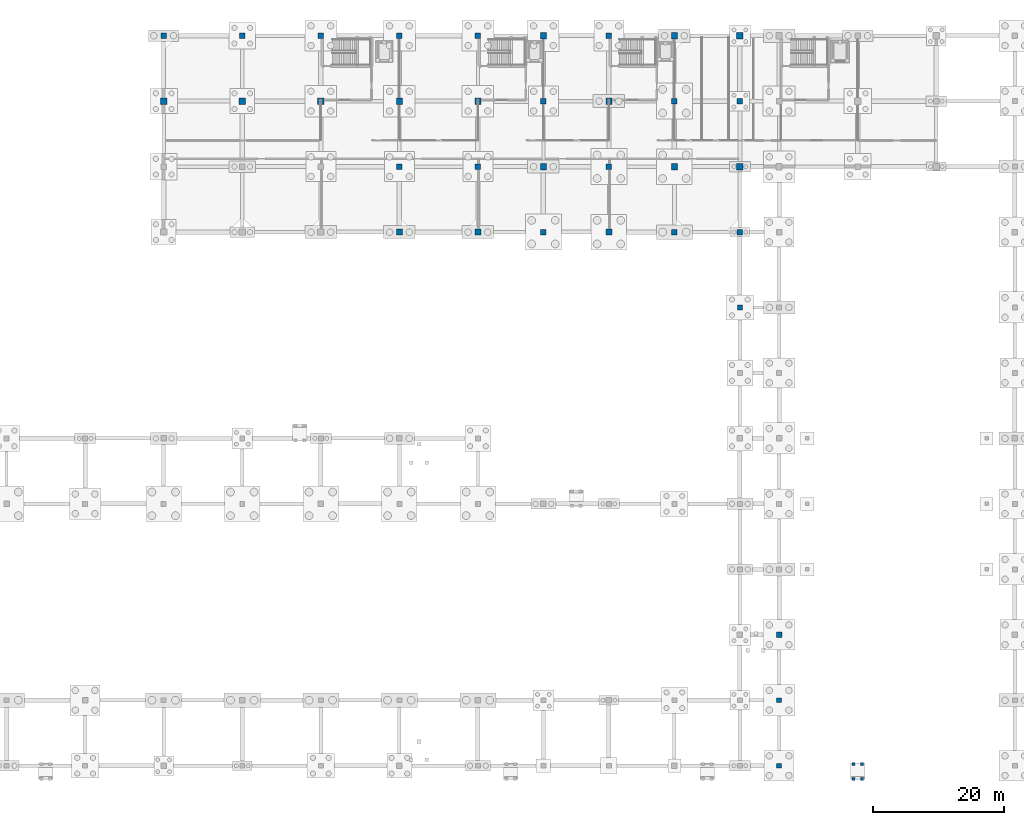
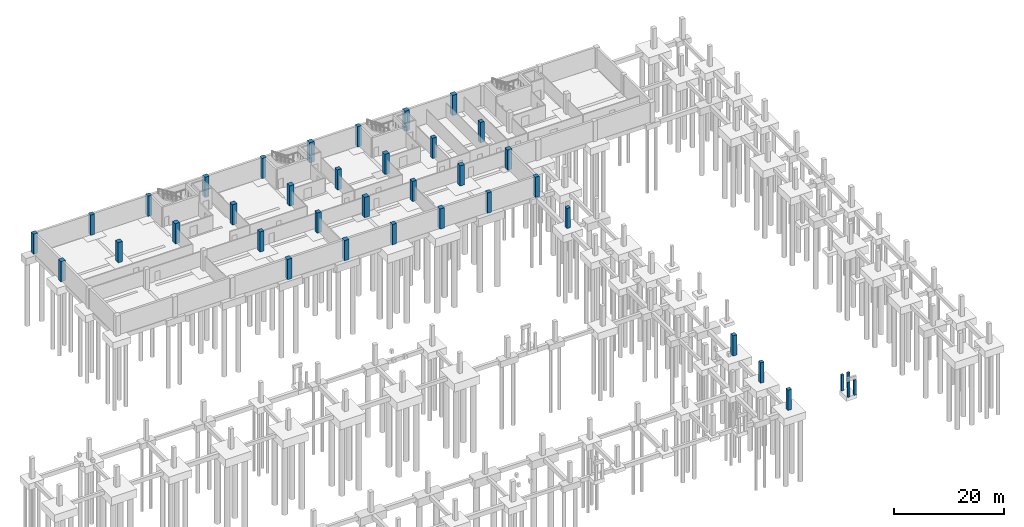
# One storey, part 10 of 19: 38 columns.
"""IFC4 building model written with IfcOpenShell, lengths in metres."""

import ifcopenshell
import ifcopenshell.guid

model = None  # the IFC model being written
_history = None  # IfcOwnerHistory: only IFC2X3 demands one
_inside = {}  # id of a spatial element -> (the spatial element, [elements in it])
_under = {}  # id of a project, library or spatial element -> (it, [spatial elements below it])
_declared = {}  # id of a project -> (the project, [libraries it declares])
_typed = {}  # id of a type object -> (the type object, [elements of that type])
_made_of = {}  # id of a material, layer set ... -> (it, [elements and type objects made of it])


def new_model(schema):
    """Start an empty IFC model of exactly this schema.

    Asked for "IFC4X3", IfcOpenShell would pick the latest addendum, in which some entities
    have other attributes; the version numbers below select the first issue.
    IFC2X3 requires an IfcOwnerHistory on every rooted entity: one is made here for all.
    """
    global model, _history
    if schema == "IFC4X3":
        model = ifcopenshell.file(schema_version=(4, 3, 0, 0))
    else:
        model = ifcopenshell.file(schema=schema)
    _inside.clear()
    _under.clear()
    _declared.clear()
    _typed.clear()
    _made_of.clear()
    _history = None
    if model.schema == "IFC2X3":
        org = make("IfcOrganization", Name="unknown")
        user = make(
            "IfcPersonAndOrganization",
            ThePerson=make("IfcPerson", FamilyName="unknown"),
            TheOrganization=org,
        )
        app = make(
            "IfcApplication",
            ApplicationDeveloper=org,
            Version="unknown",
            ApplicationFullName="unknown",
            ApplicationIdentifier="unknown",
        )
        _history = make(
            "IfcOwnerHistory",
            OwningUser=user,
            OwningApplication=app,
            ChangeAction="ADDED",
            CreationDate=0,
        )
    return model


def make(cls, **values):
    """One entity of the class cls with the attributes given. An attribute that is None is left unset."""
    return model.create_entity(
        cls, **{name: value for name, value in values.items() if value is not None}
    )


def rooted(cls, **values):
    """An entity with a GlobalId (a new one), such as an element, a storey or a relation."""
    return make(cls, GlobalId=ifcopenshell.guid.new(), OwnerHistory=_history, **values)


def si_unit(unit_type, name, prefix=None):
    """IfcSIUnit, for example si_unit("LENGTHUNIT", "METRE", prefix="MILLI")."""
    return make("IfcSIUnit", UnitType=unit_type, Prefix=prefix, Name=name)


def assignment(units):
    """IfcUnitAssignment: the units of a project."""
    return None if units is None else make("IfcUnitAssignment", Units=units)


def point(xyz):
    """IfcCartesianPoint."""
    return None if xyz is None else make("IfcCartesianPoint", Coordinates=xyz)


def direction(xyz):
    """IfcDirection."""
    return None if xyz is None else make("IfcDirection", DirectionRatios=xyz)


def frame(location, z_axis=None, x_axis=None):
    """IfcAxis2Placement3D, a coordinate frame: its origin and axes. An axis left out is left unset."""
    return make(
        "IfcAxis2Placement3D",
        Location=point(location),
        Axis=direction(z_axis),
        RefDirection=direction(x_axis),
    )


def frame_2d(location, x_axis=None):
    """IfcAxis2Placement2D, a coordinate frame in the plane: its origin and x axis."""
    return make(
        "IfcAxis2Placement2D", Location=point(location), RefDirection=direction(x_axis)
    )


def origin():
    """The frame at (0, 0, 0) with its axes left unset."""
    return frame((0.0, 0.0, 0.0))


def origin_2d():
    """The frame at (0, 0) in the plane with its x axis left unset."""
    return frame_2d((0.0, 0.0))


def place(relative_to, where):
    """IfcLocalPlacement: puts the frame where relative to a parent placement (None: the world)."""
    return make(
        "IfcLocalPlacement", PlacementRelTo=relative_to, RelativePlacement=where
    )


def context(
    kind, dimensions, precision=None, world=None, true_north=None, identifier=None
):
    """IfcGeometricRepresentationContext, for example the 3D "Model" context."""
    return make(
        "IfcGeometricRepresentationContext",
        ContextIdentifier=identifier,
        ContextType=kind,
        CoordinateSpaceDimension=dimensions,
        Precision=precision,
        WorldCoordinateSystem=world,
        TrueNorth=true_north,
    )


def subcontext(parent, identifier, kind, view, scale=None):
    """IfcGeometricRepresentationSubContext, for example "Body" below "Model"."""
    return make(
        "IfcGeometricRepresentationSubContext",
        ContextIdentifier=identifier,
        ContextType=kind,
        ParentContext=parent,
        TargetScale=scale,
        TargetView=view,
    )


def project(units=None, contexts=None):
    """IfcProject with its units and contexts."""
    return rooted(
        "IfcProject",
        Name="project",
        RepresentationContexts=contexts,
        UnitsInContext=assignment(units),
    )


def spatial(cls, under=None, at=None, **own):
    """A site, building, storey or space (cls), placed at a placement, below another one or the project."""
    s = rooted(cls, ObjectPlacement=at, **own)
    if under is not None:
        _under.setdefault(under.id(), (under, []))[1].append(s)
    return s


def profile(cls, at=None, kind="AREA", **sizes):
    """A parametric profile (cls). Its sizes go by their IFC names, for example OverallWidth=200.0."""
    return make(cls, ProfileType=kind, Position=at, **sizes)


def rectangle(**sizes):
    """IfcRectangleProfileDef."""
    return profile("IfcRectangleProfileDef", **sizes)


def extrude(swept, where, along, depth):
    """IfcExtrudedAreaSolid: the profile swept, set in the frame where, extruded along a direction by depth."""
    return make(
        "IfcExtrudedAreaSolid",
        SweptArea=swept,
        Position=where,
        ExtrudedDirection=direction(along),
        Depth=depth,
    )


def shape(context_of_items, identifier, shape_type, items):
    """IfcShapeRepresentation: the items that make up one representation, for example the "Body"."""
    return make(
        "IfcShapeRepresentation",
        ContextOfItems=context_of_items,
        RepresentationIdentifier=identifier,
        RepresentationType=shape_type,
        Items=items,
    )


def material(Name=None, Category=None):
    """IfcMaterial."""
    return make("IfcMaterial", Name=Name, Category=Category)


def material_profile(
    of_material, cross_section, Name=None, Category=None, Priority=None
):
    """IfcMaterialProfile: a cross section and its material."""
    return make(
        "IfcMaterialProfile",
        Name=Name,
        Material=of_material,
        Profile=cross_section,
        Priority=Priority,
        Category=Category,
    )


def profile_set(profiles, Name=None, composite=None):
    """IfcMaterialProfileSet."""
    return make(
        "IfcMaterialProfileSet",
        Name=Name,
        MaterialProfiles=profiles,
        CompositeProfile=composite,
    )


def made_of(thing, what):
    """Note that an element or type object is made of a material, layer set ...; save() writes the relation."""
    if what is not None:
        _made_of.setdefault(what.id(), (what, []))[1].append(thing)
    return thing


def type_object(cls, material=None, **own):
    """A type object (cls), such as IfcWallType, which elements share."""
    return made_of(rooted(cls, **own), material)


def element(
    cls,
    number,
    at=None,
    inside=None,
    cuts=None,
    type_object=None,
    material=None,
    context=None,
    identifier="Body",
    shape_type=None,
    held_by="IfcProductDefinitionShape",
    body=None,
    shapes=None,
    **own,
):
    """One element of the class cls, such as IfcWall. Its Tag is "e" and its number.

    at: its placement. inside: the storey or other place that contains it. cuts: it is an
    opening in that element (IfcRelVoidsElement). A single representation is given by context,
    identifier, shape_type and body (its items); several are given by shapes. held_by: the class
    of the entity that holds the representations. save() writes the other relations.
    """
    e = rooted(cls, Tag="e%d" % number, ObjectPlacement=at, **own)
    if body is not None:
        shapes = [shape(context, identifier, shape_type, body)]
    if shapes is not None:
        e.Representation = make(held_by, Representations=shapes)
    if inside is not None:
        _inside.setdefault(inside.id(), (inside, []))[1].append(e)
    if cuts is not None:
        rooted(
            "IfcRelVoidsElement", RelatingBuildingElement=cuts, RelatedOpeningElement=e
        )
    if type_object is not None:
        _typed.setdefault(type_object.id(), (type_object, []))[1].append(e)
    return made_of(e, material)


def aggregate(whole, parts):
    """IfcRelAggregates: a whole, such as a stair, and the parts it consists of."""
    return rooted("IfcRelAggregates", RelatingObject=whole, RelatedObjects=parts)


def save(model, path):
    """Write the relations noted so far, then the file.

    IfcRelAggregates (storeys below a building ...), IfcRelContainedInSpatialStructure (elements
    in a storey), IfcRelDefinesByType, IfcRelAssociatesMaterial and IfcRelDeclares: one each for
    every whole, place, type object, material and project.
    """
    for whole, parts in _under.values():
        aggregate(whole, parts)
    for where, things in _inside.values():
        rooted(
            "IfcRelContainedInSpatialStructure",
            RelatedElements=things,
            RelatingStructure=where,
        )
    for kind, things in _typed.values():
        rooted("IfcRelDefinesByType", RelatedObjects=things, RelatingType=kind)
    for what, things in _made_of.values():
        rooted("IfcRelAssociatesMaterial", RelatedObjects=things, RelatingMaterial=what)
    for by, libraries in _declared.values():
        rooted("IfcRelDeclares", RelatingContext=by, RelatedDefinitions=libraries)
    model.write(path)


model = new_model("IFC4")

# Units and contexts
model_context = context("Model", 3, precision=1e-05, world=origin(), true_north=direction((0.0, 1.0)))
body_context = subcontext(model_context, "Body", "Model", "MODEL_VIEW")
ifc_project = project(units=[si_unit("LENGTHUNIT", "METRE"), si_unit("AREAUNIT", "SQUARE_METRE"), si_unit("VOLUMEUNIT", "CUBIC_METRE"), si_unit("PLANEANGLEUNIT", "RADIAN"), si_unit("MASSUNIT", "GRAM", prefix="KILO")], contexts=[model_context])

# Site, building, storey
site_placement = place(None, origin())
site = spatial("IfcSite", under=ifc_project, at=site_placement, CompositionType="ELEMENT")
building_placement = place(site_placement, origin())
building = spatial("IfcBuilding", under=site, at=building_placement, Name="Mersad Railyard Sports Hall", CompositionType="ELEMENT")
storey_placement = place(building_placement, frame((0.0, 0.0, -4.5)))
storey = spatial("IfcBuildingStorey", under=building, at=storey_placement, Name="B1", CompositionType="ELEMENT", Elevation=-4.5)

# Columns
ifc_material_1 = material(Name="Concrete C50/60", Category="concrete")
ifc_material_profile_1 = material_profile(ifc_material_1, rectangle(XDim=0.949951171875, YDim=0.949951171875, at=origin_2d()), Name="RC 950x950")
ifc_profile_set_1 = profile_set([ifc_material_profile_1], Name="Concrete C50/60")
column_type_1 = type_object("IfcColumnType", Name="STR-COL-C01", PredefinedType="COLUMN", material=ifc_profile_set_1)
for number, where, z_axis, x_axis, name in (
    (1, (43.0, 105.0, 0.0), (0.0, 0.0, 1.0), (1.0, 0.0, 0.0), "Column C01 B1 (43.0,105.0)"),
    (2, (55.0, 105.0, 0.0), (0.0, 0.0, 1.0), (1.0, 0.0, 0.0), "Column C01 B1 (55.0,105.0)"),
    (3, (67.0, 105.0, 0.0), (0.0, 0.0, 1.0), (1.0, 0.0, 0.0), "Column C01 B1 (67.0,105.0)"),
    (4, (79.0, 85.0, 0.0), (0.0, 0.0, 1.0), (1.0, 0.0, 0.0), "Column C01 B1 (79.0,85.0)"),
    (5, (79.0, 105.0, 0.0), (0.0, 0.0, 1.0), (1.0, 0.0, 0.0), "Column C01 B1 (79.0,105.0)"),
    (6, (91.0, 85.0, 0.0), (0.0, 0.0, 1.0), (1.0, 0.0, 0.0), "Column C01 B1 (91.0,85.0)"),
    (7, (91.0, 105.0, 0.0), (0.0, 0.0, 1.0), (1.0, 0.0, 0.0), "Column C01 B1 (91.0,105.0)"),
    (8, (101.0, 95.0, 0.0), (0.0, 0.0, 1.0), (1.0, 0.0, 0.0), "Column C01 B1 (101.0,95.0)"),
    (9, (101.0, 115.0, 0.0), (0.0, 0.0, 1.0), (1.0, 0.0, 0.0), "Column C01 B1 (101.0,115.0)"),
    (10, (111.0, 85.0, 0.0), (0.0, 0.0, 1.0), (1.0, 0.0, 0.0), "Column C01 B1 (111.0,85.0)"),
    (11, (111.0, 105.0, 0.0), (0.0, 0.0, 1.0), (1.0, 0.0, 0.0), "Column C01 B1 (111.0,105.0)"),
    (12, (121.0, 95.0, 0.0), (0.0, 0.0, 1.0), (1.0, 0.0, 0.0), "Column C01 B1 (121.0,95.0)"),
    (13, (121.0, 115.0, 0.0), (0.0, 0.0, 1.0), (1.0, 0.0, 0.0), "Column C01 B1 (121.0,115.0)"),
    (14, (131.0, 95.0, 0.0), (0.0, 0.0, 1.0), (1.0, 0.0, 0.0), "Column C01 B1 (131.0,95.0)"),
    (15, (131.0, 115.0, 0.0), (0.0, 0.0, 1.0), (1.0, 0.0, 0.0), "Column C01 B1 (131.0,115.0)"),
):
    element("IfcColumn", number, at=place(storey_placement, frame(where, z_axis=z_axis, x_axis=x_axis)), inside=storey, type_object=column_type_1, Name=name, PredefinedType="COLUMN", context=body_context, shape_type="SweptSolid", body=[
        extrude(rectangle(XDim=0.949951171875, YDim=0.949951171875, at=origin_2d()), origin(), (0.0, 0.0, 1.0), 4.5),
    ])
ifc_material_profile_2 = material_profile(ifc_material_1, rectangle(XDim=0.85009765625, YDim=0.85009765625, at=origin_2d()), Name="RC 850x850")
ifc_profile_set_2 = profile_set([ifc_material_profile_2], Name="Concrete C50/60")
column_type_2 = type_object("IfcColumnType", Name="STR-COL-C02", PredefinedType="COLUMN", material=ifc_profile_set_2)
for number, where, z_axis, x_axis, name in (
    (16, (43.0, 115.0, 0.0), (0.0, 0.0, 1.0), (1.0, 0.0, 0.0), "Column C02 B1 (43.0,115.0)"),
    (17, (55.0, 115.0, 0.0), (0.0, 0.0, 1.0), (1.0, 0.0, 0.0), "Column C02 B1 (55.0,115.0)"),
    (18, (67.0, 115.0, 0.0), (0.0, 0.0, 1.0), (1.0, 0.0, 0.0), "Column C02 B1 (67.0,115.0)"),
    (19, (79.0, 95.0, 0.0), (0.0, 0.0, 1.0), (1.0, 0.0, 0.0), "Column C02 B1 (79.0,95.0)"),
    (20, (79.0, 115.0, 0.0), (0.0, 0.0, 1.0), (1.0, 0.0, 0.0), "Column C02 B1 (79.0,115.0)"),
    (21, (91.0, 95.0, 0.0), (0.0, 0.0, 1.0), (1.0, 0.0, 0.0), "Column C02 B1 (91.0,95.0)"),
    (22, (91.0, 115.0, 0.0), (0.0, 0.0, 1.0), (1.0, 0.0, 0.0), "Column C02 B1 (91.0,115.0)"),
    (23, (101.0, 85.0, 0.0), (0.0, 0.0, 1.0), (1.0, 0.0, 0.0), "Column C02 B1 (101.0,85.0)"),
    (24, (101.0, 105.0, 0.0), (0.0, 0.0, 1.0), (1.0, 0.0, 0.0), "Column C02 B1 (101.0,105.0)"),
    (25, (111.0, 95.0, 0.0), (0.0, 0.0, 1.0), (1.0, 0.0, 0.0), "Column C02 B1 (111.0,95.0)"),
    (26, (111.0, 115.0, 0.0), (0.0, 0.0, 1.0), (1.0, 0.0, 0.0), "Column C02 B1 (111.0,115.0)"),
    (27, (121.0, 85.0, 0.0), (0.0, 0.0, 1.0), (1.0, 0.0, 0.0), "Column C02 B1 (121.0,85.0)"),
    (28, (121.0, 105.0, 0.0), (0.0, 0.0, 1.0), (1.0, 0.0, 0.0), "Column C02 B1 (121.0,105.0)"),
    (29, (131.0, 85.0, 0.0), (0.0, 0.0, 1.0), (1.0, 0.0, 0.0), "Column C02 B1 (131.0,85.0)"),
    (30, (131.0, 105.0, 0.0), (0.0, 0.0, 1.0), (1.0, 0.0, 0.0), "Column C02 B1 (131.0,105.0)"),
    (31, (137.0, 23.5, 0.0), (0.0, 0.0, 1.0), (1.0, 0.0, 0.0), "Column C02 B1 (137.0,23.5)"),
):
    element("IfcColumn", number, at=place(storey_placement, frame(where, z_axis=z_axis, x_axis=x_axis)), inside=storey, type_object=column_type_2, Name=name, PredefinedType="COLUMN", context=body_context, shape_type="SweptSolid", body=[
        extrude(rectangle(XDim=0.85009765625, YDim=0.85009765625, at=origin_2d()), origin(), (0.0, 0.0, 1.0), 4.5),
    ])
ifc_material_profile_3 = material_profile(ifc_material_1, rectangle(XDim=0.75, YDim=0.75, at=origin_2d()), Name="RC 750x750")
ifc_profile_set_3 = profile_set([ifc_material_profile_3], Name="Concrete C50/60")
column_type_3 = type_object("IfcColumnType", Name="STR-COL-C03", PredefinedType="COLUMN", material=ifc_profile_set_3)
for number, where, z_axis, x_axis, name in (
    (32, (131.0, 73.5, 0.0), (0.0, 0.0, 1.0), (1.0, 0.0, 0.0), "Column C03 B1 (131.0,73.5)"),
    (33, (137.0, 3.5, 0.0), (0.0, 0.0, 1.0), (1.0, 0.0, 0.0), "Column C03 B1 (137.0,3.5)"),
    (34, (137.0, 13.5, 0.0), (0.0, 0.0, 1.0), (1.0, 0.0, 0.0), "Column C03 B1 (137.0,13.5)"),
):
    element("IfcColumn", number, at=place(storey_placement, frame(where, z_axis=z_axis, x_axis=x_axis)), inside=storey, type_object=column_type_3, Name=name, PredefinedType="COLUMN", context=body_context, shape_type="SweptSolid", body=[
        extrude(rectangle(XDim=0.75, YDim=0.75, at=origin_2d()), origin(), (0.0, 0.0, 1.0), 4.5),
    ])
ifc_material_2 = material(Name="Concrete C40/50", Category="concrete")
ifc_material_profile_4 = material_profile(ifc_material_2, rectangle(XDim=0.449951171875, YDim=0.449951171875, at=origin_2d()), Name="RC 450x450")
ifc_profile_set_4 = profile_set([ifc_material_profile_4], Name="Concrete C40/50")
column_type_4 = type_object("IfcColumnType", Name="STR-COL-C06", PredefinedType="COLUMN", material=ifc_profile_set_4)
column_1_placement = place(storey_placement, frame((148.35009765625, 1.5, 0.0), z_axis=(0.0, 0.0, 1.0), x_axis=(1.0, 0.0, 0.0)))
element("IfcColumn", 35, at=column_1_placement, inside=storey, type_object=column_type_4, Name="Show court south accessible ramp outer pier", PredefinedType="COLUMN", context=body_context, shape_type="SweptSolid", body=[
    extrude(rectangle(XDim=0.449951171875, YDim=0.449951171875, at=origin_2d()), origin(), (0.0, 0.0, 1.0), 3.39990234375),
])
column_2_placement = place(storey_placement, frame((148.35009765625, 3.800048828125, 0.0), z_axis=(0.0, 0.0, 1.0), x_axis=(1.0, 0.0, 0.0)))
element("IfcColumn", 36, at=column_2_placement, inside=storey, type_object=column_type_4, Name="Show court south accessible ramp inner pier", PredefinedType="COLUMN", context=body_context, shape_type="SweptSolid", body=[
    extrude(rectangle(XDim=0.449951171875, YDim=0.449951171875, at=origin_2d()), origin(), (0.0, 0.0, 1.0), 3.550048828125),
])
column_3_placement = place(storey_placement, frame((149.64990234375, 1.5, 0.0), z_axis=(0.0, 0.0, 1.0), x_axis=(1.0, 0.0, 0.0)))
element("IfcColumn", 37, at=column_3_placement, inside=storey, type_object=column_type_4, Name="Show court south accessible ramp outer pier", PredefinedType="COLUMN", context=body_context, shape_type="SweptSolid", body=[
    extrude(rectangle(XDim=0.449951171875, YDim=0.449951171875, at=origin_2d()), origin(), (0.0, 0.0, 1.0), 3.39990234375),
])
column_4_placement = place(storey_placement, frame((149.64990234375, 3.800048828125, 0.0), z_axis=(0.0, 0.0, 1.0), x_axis=(1.0, 0.0, 0.0)))
element("IfcColumn", 38, at=column_4_placement, inside=storey, type_object=column_type_4, Name="Show court south accessible ramp inner pier", PredefinedType="COLUMN", context=body_context, shape_type="SweptSolid", body=[
    extrude(rectangle(XDim=0.449951171875, YDim=0.449951171875, at=origin_2d()), origin(), (0.0, 0.0, 1.0), 3.550048828125),
])

save(model, "model.ifc")
